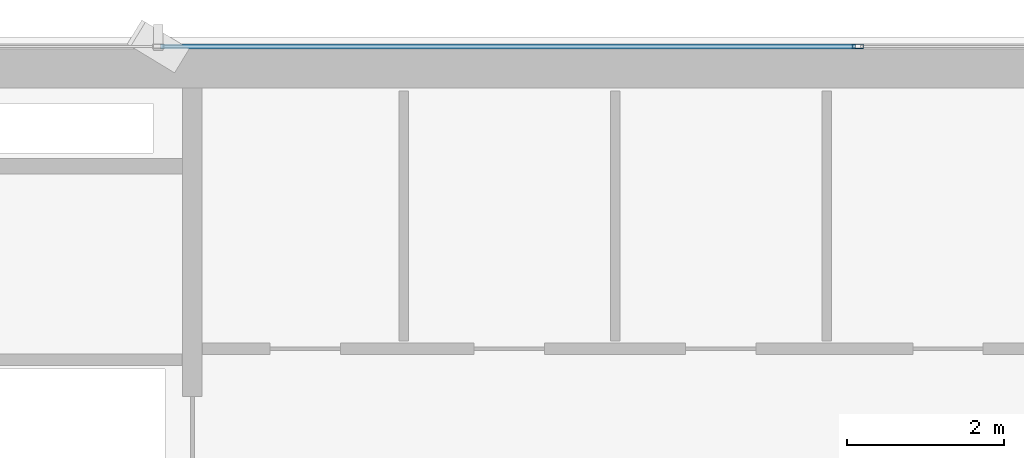
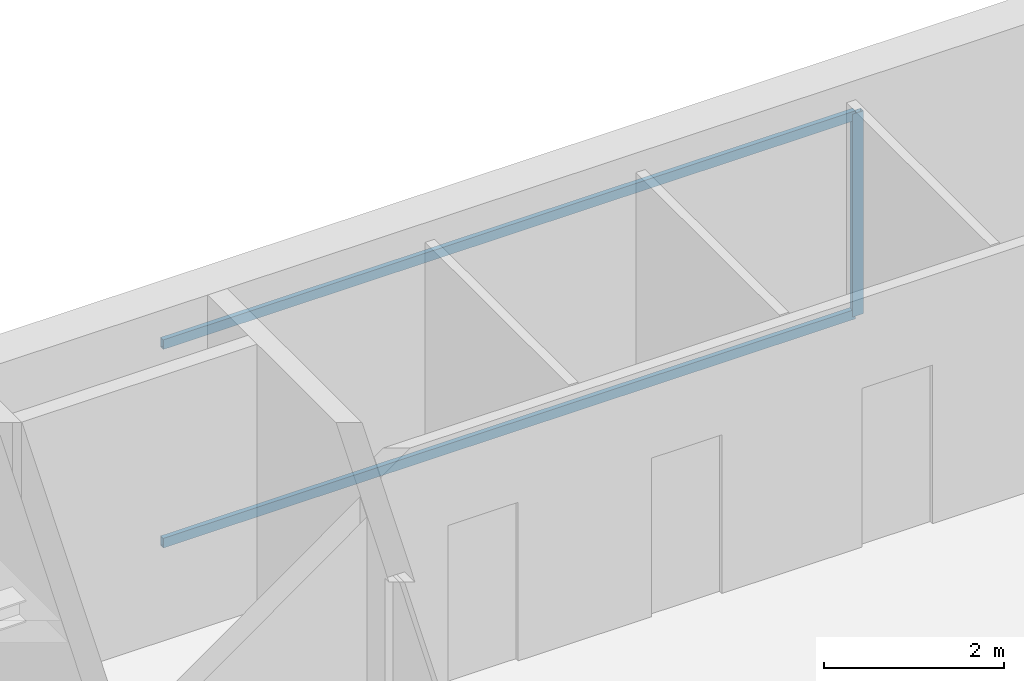
# One storey, part 16 of 27: 3 members, 1 element without a shape of its own.
"""IFC4 building model written with IfcOpenShell, lengths in metres."""

from ifc_helpers import new_model, si_unit, direction, frame, origin, origin_2d, place, context, subcontext, project, spatial, hollow_rectangle, extrude, source, transform, mapped, material, layer, layer_set, material_profile, profile_set, type_object, element, aggregate, save


model = new_model("IFC4")

# Units and contexts
model_context = context("Model", 3, precision=1e-05, world=origin(), true_north=direction((0.0, 1.0)))
body_context = subcontext(model_context, "Body", "Model", "MODEL_VIEW")
ifc_project = project(units=[si_unit("LENGTHUNIT", "METRE"), si_unit("AREAUNIT", "SQUARE_METRE"), si_unit("VOLUMEUNIT", "CUBIC_METRE"), si_unit("PLANEANGLEUNIT", "RADIAN"), si_unit("MASSUNIT", "GRAM", prefix="KILO")], contexts=[model_context])

# Site, building, storey
site_placement = place(None, origin())
site = spatial("IfcSite", under=ifc_project, at=site_placement, CompositionType="ELEMENT")
building_placement = place(site_placement, origin())
building = spatial("IfcBuilding", under=site, at=building_placement, Name="Sumidabori Civic Tower", CompositionType="ELEMENT")
storey_placement = place(building_placement, frame((0.0, 0.0, 257.60009765625)))
storey = spatial("IfcBuildingStorey", under=building, at=storey_placement, Name="L67", CompositionType="ELEMENT", Elevation=257.60009765625)

# Curtain wall, members
ifc_material = material(Name="Anodised Bronze Aluminium AW-6063-T6", Category="aluminium")
ifc_layer = layer(ifc_material, 0.179931640625, Name="Anodised Bronze Aluminium AW-6063-T6")
ifc_layer_set = layer_set([ifc_layer], Name="Anodised Bronze Aluminium AW-6063-T6")
curtain_wall_type = type_object("IfcCurtainWallType", Name="CW-SYS-5", PredefinedType="NOTDEFINED", material=ifc_layer_set)
curtain_wall_placement = place(storey_placement, origin())
curtain_wall = element("IfcCurtainWall", 1, at=curtain_wall_placement, inside=storey, type_object=curtain_wall_type, Name="Curtain Wall CW:L67:R07", PredefinedType="NOTDEFINED")
ifc_material_profile_1 = material_profile(ifc_material, hollow_rectangle(XDim=0.06005859375, YDim=0.139892578125, WallThickness=0.0048828125, at=origin_2d()), Name="ALU MULLION 140x60")
ifc_profile_set_1 = profile_set([ifc_material_profile_1], Name="Anodised Bronze Aluminium AW-6063-T6")
member_type_1 = type_object("IfcMemberType", Name="CW-MUL-140", PredefinedType="MULLION", material=ifc_profile_set_1)
shared_shape_1 = source(origin(), body_context, "Body", "SweptSolid", [
    extrude(hollow_rectangle(XDim=0.06005859375, YDim=0.139892578125, WallThickness=0.0048828125, at=origin_2d()), origin(), (0.0, 0.0, 1.0), 2.75),
])
member_1_placement = place(storey_placement, frame((0.0, 24.080078125, 0.0), z_axis=(0.0, 0.0, 1.0), x_axis=(0.0, -1.0, 0.0)))
member_1 = element("IfcMember", 2, at=member_1_placement, type_object=member_type_1, Name="CW-5 mullion 3", PredefinedType="MULLION", context=body_context, shape_type="MappedRepresentation", body=[
    mapped(shared_shape_1, transform((0.0, 0.0, 0.0), x_axis=(1.0, 0.0, 0.0), y_axis=(0.0, 1.0, 0.0), z_axis=(0.0, 0.0, 1.0), scale=1.0)),
])
ifc_material_profile_2 = material_profile(ifc_material, hollow_rectangle(XDim=0.06005859375, YDim=0.1298828125, WallThickness=0.0048828125, at=origin_2d()), Name="ALU TRANSOM 130x60")
ifc_profile_set_2 = profile_set([ifc_material_profile_2], Name="Anodised Bronze Aluminium AW-6063-T6")
member_type_2 = type_object("IfcMemberType", Name="CW-TRN-130", PredefinedType="USERDEFINED", material=ifc_profile_set_2)
shared_shape_2 = source(origin(), body_context, "Body", "SweptSolid", [
    extrude(hollow_rectangle(XDim=0.06005859375, YDim=0.1298828125, WallThickness=0.0048828125, at=origin_2d()), origin(), (0.0, 0.0, 1.0), 8.875),
])
member_2_placement = place(storey_placement, frame((-0.030029296875, 24.080078125, 0.02978515625), z_axis=(-1.0, 0.0, 0.0), x_axis=(0.0, -1.0, 0.0)))
member_2 = element("IfcMember", 3, at=member_2_placement, type_object=member_type_2, Name="CW-5 transom 3.1", ObjectType="TRANSOM", PredefinedType="USERDEFINED", context=body_context, shape_type="MappedRepresentation", body=[
    mapped(shared_shape_2, transform((0.0, 0.0, 0.0), x_axis=(1.0, 0.0, 0.0), y_axis=(0.0, 1.0, 0.0), z_axis=(0.0, 0.0, 1.0), scale=1.0)),
])
member_3_placement = place(storey_placement, frame((-0.030029296875, 24.080078125, 2.719970703125), z_axis=(-1.0, 0.0, 0.0), x_axis=(0.0, -1.0, 0.0)))
member_3 = element("IfcMember", 4, at=member_3_placement, type_object=member_type_2, Name="CW-5 transom 3.2", ObjectType="TRANSOM", PredefinedType="USERDEFINED", context=body_context, shape_type="MappedRepresentation", body=[
    mapped(shared_shape_2, transform((0.0, 0.0, 0.0), x_axis=(1.0, 0.0, 0.0), y_axis=(0.0, 1.0, 0.0), z_axis=(0.0, 0.0, 1.0), scale=1.0)),
])
aggregate(curtain_wall, [member_1, member_2, member_3])

save(model, "model.ifc")
